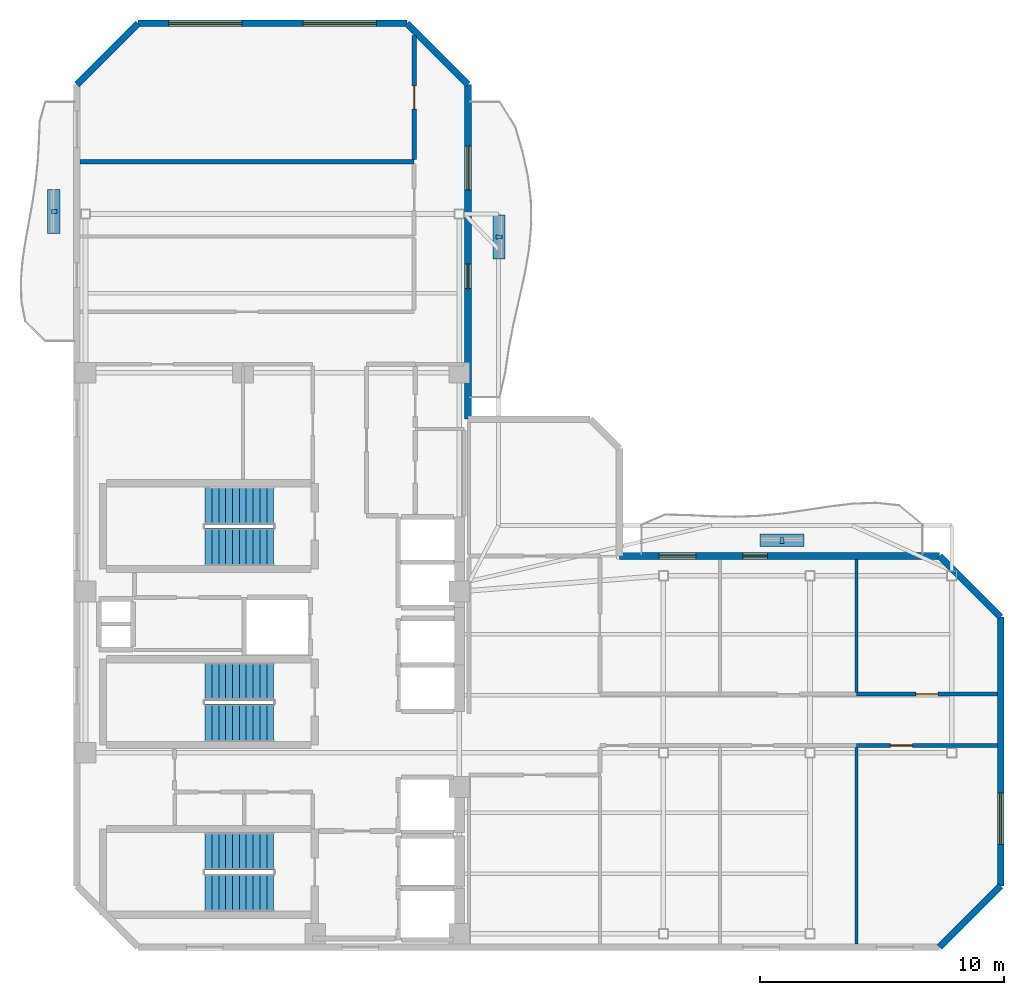
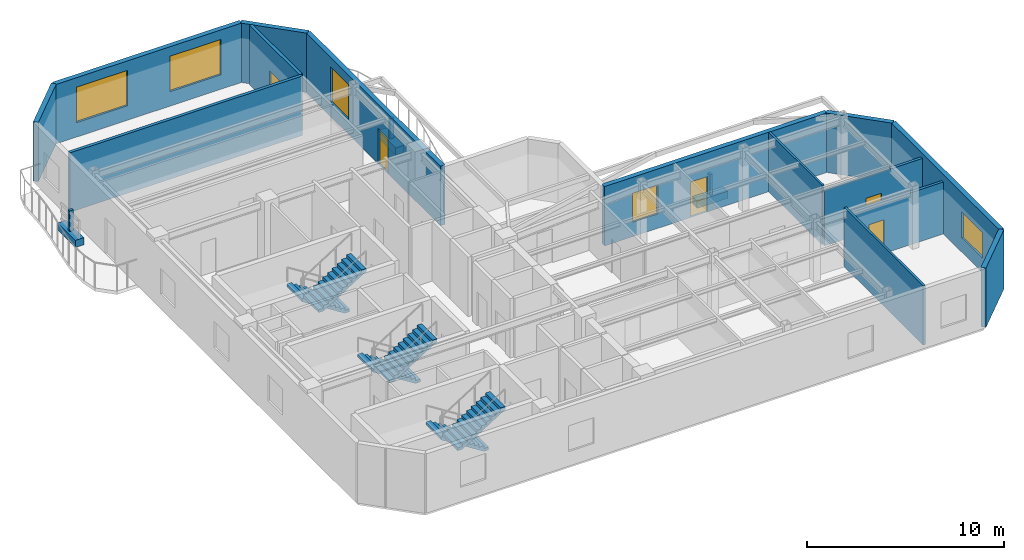
# One storey, part 5 of 7: 14 walls, 6 discrete accessories, 6 stair flights, 5 doors, 5 windows, 10 openings, 3 elements without a shape of their own.
"""IFC4 building model written with IfcOpenShell, lengths in metres."""

from ifc_helpers import new_model, si_unit, direction, frame, frame_2d, origin, origin_2d, place, context, subcontext, project, spatial, polyline, rectangle, outline, extrude, material, layer, layer_set, type_object, element, fill, aggregate, save


model = new_model("IFC4")

# Units and contexts
model_context = context("Model", 3, precision=1e-05, world=origin(), true_north=direction((0.0, 1.0)))
body_context = subcontext(model_context, "Body", "Model", "MODEL_VIEW")
ifc_project = project(units=[si_unit("LENGTHUNIT", "METRE"), si_unit("AREAUNIT", "SQUARE_METRE"), si_unit("VOLUMEUNIT", "CUBIC_METRE"), si_unit("PLANEANGLEUNIT", "RADIAN"), si_unit("MASSUNIT", "GRAM", prefix="KILO")], contexts=[model_context])

# Site, building, storey
site_placement = place(None, origin())
site = spatial("IfcSite", under=ifc_project, at=site_placement, CompositionType="ELEMENT")
building_placement = place(site_placement, origin())
building = spatial("IfcBuilding", under=site, at=building_placement, Name="Mawjaban Terraces University", CompositionType="ELEMENT")
storey_placement = place(building_placement, frame((0.0, 0.0, 298.89990234375)))
storey = spatial("IfcBuildingStorey", under=building, at=storey_placement, Name="L73", CompositionType="ELEMENT", Elevation=298.89990234375)

# Wall
ifc_material_1 = material(Name="Acoustic masonry blockwork", Category="masonry")
ifc_layer_1 = layer(ifc_material_1, 0.179931640625)
ifc_layer_set_1 = layer_set([ifc_layer_1], Name="Acoustic masonry blockwork")
wall_type_1 = type_object("IfcWallType", Name="AcousticStudioWall_180", PredefinedType="PARTITIONING", material=ifc_layer_set_1)
wall_1_placement = place(storey_placement, frame((35.800048828125, 32.139892578125, 0.0), z_axis=(0.0, 0.0, 1.0), x_axis=(-1.0, 0.0, 0.0)))
element("IfcWall", 1, at=wall_1_placement, inside=storey, type_object=wall_type_1, Name="L73 Quiet Reading Room 9 Partition 12", PredefinedType="PARTITIONING", context=body_context, shape_type="SweptSolid", body=[
    extrude(rectangle(XDim=13.6669921875, YDim=0.179931640625, at=frame_2d((6.83349609375, 0.0))), origin(), (0.0, 0.0, 1.0), 3.690185546875),
])

# Wall, opening, door
wall_2_placement = place(storey_placement, frame((35.800048828125, 37.31298828125, 0.0), z_axis=(0.0, 0.0, 1.0), x_axis=(0.0, -1.0, 0.0)))
wall_2 = element("IfcWall", 2, at=wall_2_placement, inside=storey, type_object=wall_type_1, Name="L73 Upper North Research Gallery Partition 34", PredefinedType="PARTITIONING", context=body_context, shape_type="SweptSolid", body=[
    extrude(rectangle(XDim=5.087890625, YDim=0.179931640625, at=frame_2d((2.5439453125, 0.0))), origin(), (0.0, 0.0, 1.0), 3.690185546875),
])
opening_1_placement = place(wall_2_placement, frame((2.069091796875, 0.0, 0.0)))
opening_1 = element("IfcOpeningElement", 3, at=opening_1_placement, cuts=wall_2, Name="Opening ID-095", PredefinedType="OPENING", context=body_context, shape_type="SweptSolid", body=[
    extrude(rectangle(XDim=0.949951171875, YDim=2.10009765625, at=frame_2d((0.47509765625, 1.050048828125))), frame((0.0, 0.099853515625, 0.0), z_axis=(0.0, -1.0, 0.0), x_axis=(1.0, 0.0, 0.0)), (0.0, 0.0, 1.0), 0.199951171875),
])
ifc_material_2 = material(Name="Powder-coated steel frame and solid acoustic timber leaf", Category="steel")
door_type_1 = type_object("IfcDoorType", Name="StudioDoor_950x2100", OperationType="NOTDEFINED", PredefinedType="DOOR", material=ifc_material_2)
door_1_placement = place(opening_1_placement, origin())
door_1 = element("IfcDoor", 4, at=door_1_placement, inside=storey, type_object=door_type_1, Name="L73 Media Workshop 10 Door", OperationType="SINGLE_SWING_RIGHT", OverallHeight=2.10009765625, OverallWidth=0.949951171875, PredefinedType="DOOR", context=body_context, shape_type="SweptSolid", body=[
    extrude(rectangle(XDim=0.949951171875, YDim=2.10009765625, at=frame_2d((0.47509765625, 1.050048828125))), frame((0.0, 0.02490234375, 0.0), z_axis=(0.0, -1.0, 0.0), x_axis=(1.0, 0.0, 0.0)), (0.0, 0.0, 1.0), 0.050048828125),
])
fill(opening_1, door_1)

ifc_material_3 = material(Name="Fire-rated gypsum board on steel stud", Category="steel")
ifc_layer_2 = layer(ifc_material_3, 0.159912109375)
ifc_layer_set_2 = layer_set([ifc_layer_2], Name="Fire-rated gypsum board on steel stud")
wall_type_2 = type_object("IfcWallType", Name="CorridorPartition_160", PredefinedType="PARTITIONING", material=ifc_layer_set_2)
wall_3_placement = place(storey_placement, frame((53.89990234375, 8.25, 0.0), z_axis=(0.0, 0.0, 1.0), x_axis=(1.0, 0.0, 0.0)))
wall_3 = element("IfcWall", 5, at=wall_3_placement, inside=storey, type_object=wall_type_2, Name="L73 Upper East Research Corridor Partition 21", PredefinedType="PARTITIONING", context=body_context, shape_type="SweptSolid", body=[
    extrude(rectangle(XDim=5.76708984375, YDim=0.159912109375, at=frame_2d((2.883544921875, 0.0))), origin(), (0.0, 0.0, 1.0), 3.22705078125),
])
opening_2_placement = place(wall_3_placement, frame((1.384033203125, 0.0, 0.0)))
opening_2 = element("IfcOpeningElement", 6, at=opening_2_placement, cuts=wall_3, Name="Opening ID-090", PredefinedType="OPENING", context=body_context, shape_type="SweptSolid", body=[
    extrude(rectangle(XDim=0.89990234375, YDim=2.10009765625, at=frame_2d((0.449951171875, 1.050048828125))), frame((0.0, 0.08984375, 0.0), z_axis=(0.0, -1.0, 0.0), x_axis=(1.0, 0.0, 0.0)), (0.0, 0.0, 1.0), 0.179931640625),
])
door_type_2 = type_object("IfcDoorType", Name="OfficeDoor_900x2100", OperationType="NOTDEFINED", PredefinedType="DOOR", material=ifc_material_2)
door_2_placement = place(opening_2_placement, origin())
door_2 = element("IfcDoor", 7, at=door_2_placement, inside=storey, type_object=door_type_2, Name="L73 Departmental Office 6 Door", OperationType="SINGLE_SWING_RIGHT", OverallHeight=2.10009765625, OverallWidth=0.89990234375, PredefinedType="DOOR", context=body_context, shape_type="SweptSolid", body=[
    extrude(rectangle(XDim=0.89990234375, YDim=2.10009765625, at=frame_2d((0.449951171875, 1.050048828125))), frame((0.0, 0.02490234375, 0.0), z_axis=(0.0, -1.0, 0.0), x_axis=(1.0, 0.0, 0.0)), (0.0, 0.0, 1.0), 0.050048828125),
])
fill(opening_2, door_2)

wall_4_placement = place(storey_placement, frame((59.6669921875, 10.35009765625, 0.0), z_axis=(0.0, 0.0, 1.0), x_axis=(-1.0, 0.0, 0.0)))
wall_4 = element("IfcWall", 8, at=wall_4_placement, inside=storey, type_object=wall_type_2, Name="L73 Upper East Research Corridor Partition 23", PredefinedType="PARTITIONING", context=body_context, shape_type="SweptSolid", body=[
    extrude(rectangle(XDim=5.76708984375, YDim=0.159912109375, at=frame_2d((2.883544921875, 0.0))), origin(), (0.0, 0.0, 1.0), 3.424072265625),
])
opening_3_placement = place(wall_4_placement, frame((2.43408203125, 0.0, 0.0)))
opening_3 = element("IfcOpeningElement", 9, at=opening_3_placement, cuts=wall_4, Name="Opening ID-090", PredefinedType="OPENING", context=body_context, shape_type="SweptSolid", body=[
    extrude(rectangle(XDim=0.89990234375, YDim=2.10009765625, at=frame_2d((0.449951171875, 1.050048828125))), frame((0.0, 0.08984375, 0.0), z_axis=(0.0, -1.0, 0.0), x_axis=(1.0, 0.0, 0.0)), (0.0, 0.0, 1.0), 0.179931640625),
])
door_3_placement = place(opening_3_placement, origin())
door_3 = element("IfcDoor", 10, at=door_3_placement, inside=storey, type_object=door_type_2, Name="L73 Faculty Office 7 Door", OperationType="SINGLE_SWING_LEFT", OverallHeight=2.10009765625, OverallWidth=0.89990234375, PredefinedType="DOOR", context=body_context, shape_type="SweptSolid", body=[
    extrude(rectangle(XDim=0.89990234375, YDim=2.10009765625, at=frame_2d((0.449951171875, 1.050048828125))), frame((0.0, 0.02490234375, 0.0), z_axis=(0.0, -1.0, 0.0), x_axis=(1.0, 0.0, 0.0)), (0.0, 0.0, 1.0), 0.050048828125),
])
fill(opening_3, door_3)

# Wall
ifc_material_4 = material(Name="Insulated terracotta rainscreen on concrete backup C40/50", Category="masonry")
ifc_layer_3 = layer(ifc_material_4, 0.27490234375)
ifc_layer_set_3 = layer_set([ifc_layer_3], Name="Insulated terracotta rainscreen on concrete backup C40/50")
wall_type_3 = type_object("IfcWallType", Name="ExtTerracottaWall_275", PredefinedType="SOLIDWALL", material=ifc_layer_set_3)
wall_5_placement = place(storey_placement, frame((57.300048828125, 0.0, 0.0), z_axis=(0.0, 0.0, 1.0), x_axis=(0.707106781187, 0.707106781187, 0.0)))
element("IfcWall", 11, at=wall_5_placement, inside=storey, type_object=wall_type_3, Name="L73 Exterior Terracotta Wall 2", PredefinedType="SOLIDWALL", context=body_context, shape_type="SweptSolid", body=[
    extrude(rectangle(XDim=3.53564453125, YDim=0.27490234375, at=frame_2d((1.767822265625, 0.0))), origin(), (0.0, 0.0, 1.0), 3.690185546875),
])

# Wall, opening, window
wall_6_placement = place(storey_placement, frame((59.800048828125, 2.5, 0.0), z_axis=(0.0, 0.0, 1.0), x_axis=(0.0, 1.0, 0.0)))
wall_6 = element("IfcWall", 12, at=wall_6_placement, inside=storey, type_object=wall_type_3, Name="L73 Exterior Terracotta Wall 3", PredefinedType="SOLIDWALL", context=body_context, shape_type="SweptSolid", body=[
    extrude(rectangle(XDim=11.0, YDim=0.27490234375, at=frame_2d((5.5, 0.0))), origin(), (0.0, 0.0, 1.0), 3.690185546875),
])
opening_4_placement = place(wall_6_placement, frame((1.699951171875, 0.0, 0.89990234375)))
opening_4 = element("IfcOpeningElement", 13, at=opening_4_placement, cuts=wall_6, Name="Opening W-04", PredefinedType="OPENING", context=body_context, shape_type="SweptSolid", body=[
    extrude(rectangle(XDim=2.10009765625, YDim=1.60009765625, at=frame_2d((1.050048828125, 0.800048828125))), frame((0.0, 0.1474609375, 0.0), z_axis=(0.0, -1.0, 0.0), x_axis=(1.0, 0.0, 0.0)), (0.0, 0.0, 1.0), 0.294921875),
])
ifc_material_5 = material(Name="Low-E solar-control double glazing in thermally broken aluminium frame", Category="aluminium")
window_type_1 = type_object("IfcWindowType", Name="Win_2100x1600", PartitioningType="SINGLE_PANEL", PredefinedType="WINDOW", material=ifc_material_5)
window_1_placement = place(opening_4_placement, origin())
window_1 = element("IfcWindow", 14, at=window_1_placement, inside=storey, type_object=window_type_1, Name="L73 Facade Window 3.1", OverallHeight=1.60009765625, OverallWidth=2.10009765625, PartitioningType="SINGLE_PANEL", PredefinedType="WINDOW", context=body_context, shape_type="SweptSolid", body=[
    extrude(rectangle(XDim=2.10009765625, YDim=1.60009765625, at=frame_2d((1.050048828125, 0.800048828125))), frame((0.0, 0.030029296875, 0.0), z_axis=(0.0, -1.0, 0.0), x_axis=(1.0, 0.0, 0.0)), (0.0, 0.0, 1.0), 0.06005859375),
])
fill(opening_4, window_1)

# Wall
wall_7_placement = place(storey_placement, frame((59.800048828125, 13.5, 0.0), z_axis=(0.0, 0.0, 1.0), x_axis=(-0.707106781187, 0.707106781187, 0.0)))
element("IfcWall", 15, at=wall_7_placement, inside=storey, type_object=wall_type_3, Name="L73 Exterior Terracotta Wall 4", PredefinedType="SOLIDWALL", context=body_context, shape_type="SweptSolid", body=[
    extrude(rectangle(XDim=3.53564453125, YDim=0.27490234375, at=frame_2d((1.767822265625, 0.0))), origin(), (0.0, 0.0, 1.0), 3.690185546875),
])

# Wall, openings, door, window
wall_8_placement = place(storey_placement, frame((57.300048828125, 16.0, 0.0), z_axis=(0.0, 0.0, 1.0), x_axis=(-1.0, 0.0, 0.0)))
wall_8 = element("IfcWall", 16, at=wall_8_placement, inside=storey, type_object=wall_type_3, Name="L73 Exterior Terracotta Wall 5", PredefinedType="SOLIDWALL", context=body_context, shape_type="SweptSolid", body=[
    extrude(rectangle(XDim=13.10009765625, YDim=0.27490234375, at=frame_2d((6.550048828125, 0.0))), origin(), (0.0, 0.0, 1.0), 3.690185546875),
])
opening_5_placement = place(wall_8_placement, frame((7.050048828125, 0.0, 0.0)))
opening_5 = element("IfcOpeningElement", 17, at=opening_5_placement, cuts=wall_8, Name="Opening BD-100", PredefinedType="OPENING", context=body_context, shape_type="SweptSolid", body=[
    extrude(rectangle(XDim=1.0, YDim=2.199951171875, at=frame_2d((0.5, 1.10009765625))), frame((0.0, 0.1474609375, 0.0), z_axis=(0.0, -1.0, 0.0), x_axis=(1.0, 0.0, 0.0)), (0.0, 0.0, 1.0), 0.294921875),
])
opening_6_placement = place(wall_8_placement, frame((9.97509765625, 0.0, 0.89990234375)))
opening_6 = element("IfcOpeningElement", 18, at=opening_6_placement, cuts=wall_8, Name="Opening W-06", PredefinedType="OPENING", context=body_context, shape_type="SweptSolid", body=[
    extrude(rectangle(XDim=1.5, YDim=1.800048828125, at=frame_2d((0.75, 0.89990234375))), frame((0.0, 0.1474609375, 0.0), z_axis=(0.0, -1.0, 0.0), x_axis=(1.0, 0.0, 0.0)), (0.0, 0.0, 1.0), 0.294921875),
])
ifc_material_6 = material(Name="Thermally broken anodised aluminium and laminated safety glass", Category="aluminium")
door_type_3 = type_object("IfcDoorType", Name="BalconyGlazedDoor_1000x2200", OperationType="NOTDEFINED", PredefinedType="DOOR", material=ifc_material_6)
door_4_placement = place(opening_5_placement, origin())
door_4 = element("IfcDoor", 19, at=door_4_placement, inside=storey, type_object=door_type_3, Name="L73 Balcony Access Door inner_north", OperationType="SINGLE_SWING_RIGHT", OverallHeight=2.199951171875, OverallWidth=1.0, PredefinedType="DOOR", context=body_context, shape_type="SweptSolid", body=[
    extrude(rectangle(XDim=1.0, YDim=2.199951171875, at=frame_2d((0.5, 1.10009765625))), frame((0.0, 0.02490234375, 0.0), z_axis=(0.0, -1.0, 0.0), x_axis=(1.0, 0.0, 0.0)), (0.0, 0.0, 1.0), 0.050048828125),
])
fill(opening_5, door_4)
window_type_2 = type_object("IfcWindowType", Name="Win_1500x1800", PartitioningType="SINGLE_PANEL", PredefinedType="WINDOW", material=ifc_material_5)
window_2_placement = place(opening_6_placement, origin())
window_2 = element("IfcWindow", 20, at=window_2_placement, inside=storey, type_object=window_type_2, Name="L73 Facade Window 5.2", OverallHeight=1.800048828125, OverallWidth=1.5, PartitioningType="SINGLE_PANEL", PredefinedType="WINDOW", context=body_context, shape_type="SweptSolid", body=[
    extrude(rectangle(XDim=1.5, YDim=1.800048828125, at=frame_2d((0.75, 0.89990234375))), frame((0.0, 0.030029296875, 0.0), z_axis=(0.0, -1.0, 0.0), x_axis=(1.0, 0.0, 0.0)), (0.0, 0.0, 1.0), 0.06005859375),
])
fill(opening_6, window_2)

wall_9_placement = place(storey_placement, frame((38.0, 21.60009765625, 0.0), z_axis=(0.0, 0.0, 1.0), x_axis=(0.0, 1.0, 0.0)))
wall_9 = element("IfcWall", 21, at=wall_9_placement, inside=storey, type_object=wall_type_3, Name="L73 Exterior Terracotta Wall 9", PredefinedType="SOLIDWALL", context=body_context, shape_type="SweptSolid", body=[
    extrude(rectangle(XDim=13.699951171875, YDim=0.27490234375, at=frame_2d((6.85009765625, 0.0))), origin(), (0.0, 0.0, 1.0), 3.690185546875),
])
opening_7_placement = place(wall_9_placement, frame((5.35009765625, 0.0, 0.0)))
opening_7 = element("IfcOpeningElement", 22, at=opening_7_placement, cuts=wall_9, Name="Opening BD-100", PredefinedType="OPENING", context=body_context, shape_type="SweptSolid", body=[
    extrude(rectangle(XDim=1.0, YDim=2.199951171875, at=frame_2d((0.5, 1.10009765625))), frame((0.0, 0.1474609375, 0.0), z_axis=(0.0, -1.0, 0.0), x_axis=(1.0, 0.0, 0.0)), (0.0, 0.0, 1.0), 0.294921875),
])
opening_8_placement = place(wall_9_placement, frame((9.375, 0.0, 0.89990234375)))
opening_8 = element("IfcOpeningElement", 23, at=opening_8_placement, cuts=wall_9, Name="Opening W-10", PredefinedType="OPENING", context=body_context, shape_type="SweptSolid", body=[
    extrude(rectangle(XDim=1.800048828125, YDim=2.199951171875, at=frame_2d((0.89990234375, 1.10009765625))), frame((0.0, 0.1474609375, 0.0), z_axis=(0.0, -1.0, 0.0), x_axis=(1.0, 0.0, 0.0)), (0.0, 0.0, 1.0), 0.294921875),
])
door_5_placement = place(opening_7_placement, origin())
door_5 = element("IfcDoor", 24, at=door_5_placement, inside=storey, type_object=door_type_3, Name="L73 Balcony Access Door inner_east", OperationType="SINGLE_SWING_RIGHT", OverallHeight=2.199951171875, OverallWidth=1.0, PredefinedType="DOOR", context=body_context, shape_type="SweptSolid", body=[
    extrude(rectangle(XDim=1.0, YDim=2.199951171875, at=frame_2d((0.5, 1.10009765625))), frame((0.0, 0.02490234375, 0.0), z_axis=(0.0, -1.0, 0.0), x_axis=(1.0, 0.0, 0.0)), (0.0, 0.0, 1.0), 0.050048828125),
])
fill(opening_7, door_5)
window_type_3 = type_object("IfcWindowType", Name="Win_1800x2200", PartitioningType="SINGLE_PANEL", PredefinedType="WINDOW", material=ifc_material_5)
window_3_placement = place(opening_8_placement, origin())
window_3 = element("IfcWindow", 25, at=window_3_placement, inside=storey, type_object=window_type_3, Name="L73 Facade Window 9.2", OverallHeight=2.199951171875, OverallWidth=1.800048828125, PartitioningType="SINGLE_PANEL", PredefinedType="WINDOW", context=body_context, shape_type="SweptSolid", body=[
    extrude(rectangle(XDim=1.800048828125, YDim=2.199951171875, at=frame_2d((0.89990234375, 1.10009765625))), frame((0.0, 0.030029296875, 0.0), z_axis=(0.0, -1.0, 0.0), x_axis=(1.0, 0.0, 0.0)), (0.0, 0.0, 1.0), 0.06005859375),
])
fill(opening_8, window_3)

# Wall
wall_10_placement = place(storey_placement, frame((38.0, 35.300048828125, 0.0), z_axis=(0.0, 0.0, 1.0), x_axis=(-0.707106781187, 0.707106781187, 0.0)))
element("IfcWall", 26, at=wall_10_placement, inside=storey, type_object=wall_type_3, Name="L73 Exterior Terracotta Wall 10", PredefinedType="SOLIDWALL", context=body_context, shape_type="SweptSolid", body=[
    extrude(rectangle(XDim=3.53564453125, YDim=0.27490234375, at=frame_2d((1.767822265625, 0.0))), origin(), (0.0, 0.0, 1.0), 3.690185546875),
])

# Wall, openings, windows
wall_11_placement = place(storey_placement, frame((35.5, 37.800048828125, 0.0), z_axis=(0.0, 0.0, 1.0), x_axis=(-1.0, 0.0, 0.0)))
wall_11 = element("IfcWall", 27, at=wall_11_placement, inside=storey, type_object=wall_type_3, Name="L73 Exterior Terracotta Wall 11", PredefinedType="SOLIDWALL", context=body_context, shape_type="SweptSolid", body=[
    extrude(rectangle(XDim=11.0, YDim=0.27490234375, at=frame_2d((5.5, 0.0))), origin(), (0.0, 0.0, 1.0), 3.690185546875),
])
opening_9_placement = place(wall_11_placement, frame((1.25, 0.0, 0.89990234375)))
opening_9 = element("IfcOpeningElement", 28, at=opening_9_placement, cuts=wall_11, Name="Opening W-12", PredefinedType="OPENING", context=body_context, shape_type="SweptSolid", body=[
    extrude(rectangle(XDim=3.0, YDim=2.199951171875, at=frame_2d((1.5, 1.10009765625))), frame((0.0, 0.1474609375, 0.0), z_axis=(0.0, -1.0, 0.0), x_axis=(1.0, 0.0, 0.0)), (0.0, 0.0, 1.0), 0.294921875),
])
opening_10_placement = place(wall_11_placement, frame((6.75, 0.0, 0.89990234375)))
opening_10 = element("IfcOpeningElement", 29, at=opening_10_placement, cuts=wall_11, Name="Opening W-12", PredefinedType="OPENING", context=body_context, shape_type="SweptSolid", body=[
    extrude(rectangle(XDim=3.0, YDim=2.199951171875, at=frame_2d((1.5, 1.10009765625))), frame((0.0, 0.1474609375, 0.0), z_axis=(0.0, -1.0, 0.0), x_axis=(1.0, 0.0, 0.0)), (0.0, 0.0, 1.0), 0.294921875),
])
window_type_4 = type_object("IfcWindowType", Name="Win_3000x2200", PartitioningType="SINGLE_PANEL", PredefinedType="WINDOW", material=ifc_material_5)
window_4_placement = place(opening_9_placement, origin())
window_4 = element("IfcWindow", 30, at=window_4_placement, inside=storey, type_object=window_type_4, Name="L73 Facade Window 11.1", OverallHeight=2.199951171875, OverallWidth=3.0, PartitioningType="SINGLE_PANEL", PredefinedType="WINDOW", context=body_context, shape_type="SweptSolid", body=[
    extrude(rectangle(XDim=3.0, YDim=2.199951171875, at=frame_2d((1.5, 1.10009765625))), frame((0.0, 0.030029296875, 0.0), z_axis=(0.0, -1.0, 0.0), x_axis=(1.0, 0.0, 0.0)), (0.0, 0.0, 1.0), 0.06005859375),
])
fill(opening_9, window_4)
window_5_placement = place(opening_10_placement, origin())
window_5 = element("IfcWindow", 31, at=window_5_placement, inside=storey, type_object=window_type_4, Name="L73 Facade Window 11.2", OverallHeight=2.199951171875, OverallWidth=3.0, PartitioningType="SINGLE_PANEL", PredefinedType="WINDOW", context=body_context, shape_type="SweptSolid", body=[
    extrude(rectangle(XDim=3.0, YDim=2.199951171875, at=frame_2d((1.5, 1.10009765625))), frame((0.0, 0.030029296875, 0.0), z_axis=(0.0, -1.0, 0.0), x_axis=(1.0, 0.0, 0.0)), (0.0, 0.0, 1.0), 0.06005859375),
])
fill(opening_10, window_5)

# Walls
wall_12_placement = place(storey_placement, frame((24.5, 37.800048828125, 0.0), z_axis=(0.0, 0.0, 1.0), x_axis=(-0.707106781187, -0.707106781187, 0.0)))
element("IfcWall", 32, at=wall_12_placement, inside=storey, type_object=wall_type_3, Name="L73 Exterior Terracotta Wall 12", PredefinedType="SOLIDWALL", context=body_context, shape_type="SweptSolid", body=[
    extrude(rectangle(XDim=3.53564453125, YDim=0.27490234375, at=frame_2d((1.767822265625, 0.0))), origin(), (0.0, 0.0, 1.0), 3.690185546875),
])
ifc_material_7 = material(Name="Gypsum plasterboard on steel stud", Category="steel")
ifc_layer_4 = layer(ifc_material_7, 0.125)
ifc_layer_set_4 = layer_set([ifc_layer_4], Name="Gypsum plasterboard on steel stud")
wall_type_4 = type_object("IfcWallType", Name="OfficePartition_125", PredefinedType="PARTITIONING", material=ifc_layer_set_4)
wall_13_placement = place(storey_placement, frame((53.89990234375, 0.133056640625, 0.0), z_axis=(0.0, 0.0, 1.0), x_axis=(0.0, 1.0, 0.0)))
element("IfcWall", 33, at=wall_13_placement, inside=storey, type_object=wall_type_4, Name="L73 Academic Counseling Room 4 Partition 46", PredefinedType="PARTITIONING", context=body_context, shape_type="SweptSolid", body=[
    extrude(rectangle(XDim=8.0419921875, YDim=0.125, at=frame_2d((4.02099609375, 0.0))), origin(), (0.0, 0.0, 1.0), 3.690185546875),
])
wall_14_placement = place(storey_placement, frame((53.89990234375, 10.425048828125, 0.0), z_axis=(0.0, 0.0, 1.0), x_axis=(0.0, 1.0, 0.0)))
element("IfcWall", 34, at=wall_14_placement, inside=storey, type_object=wall_type_4, Name="L73 Faculty Office 5 Partition 47", PredefinedType="PARTITIONING", context=body_context, shape_type="SweptSolid", body=[
    extrude(rectangle(XDim=5.44189453125, YDim=0.125, at=frame_2d((2.720947265625, 0.0))), origin(), (0.0, 0.0, 1.0), 3.690185546875),
])

# Stair, stair flights
ifc_material_8 = material(Name="Concrete C40/50", Category="concrete")
stair_type = type_object("IfcStairType", Name="Stair_Core1550_H39", PredefinedType="HALF_TURN_STAIR", material=ifc_material_8)
stair_1_placement = place(storey_placement, origin())
stair_1 = element("IfcStair", 35, at=stair_1_placement, inside=storey, type_object=stair_type, Name="L73 Core Exit Stair 1", PredefinedType="HALF_TURN_STAIR")
stair_flight_type = type_object("IfcStairFlightType", Name="Flight_Core1550_H39", PredefinedType="STRAIGHT", material=ifc_material_8)
stair_flight_1_placement = place(storey_placement, frame((30.050048828125, 3.925048828125, 0.0), z_axis=(0.0, 0.0, 1.0), x_axis=(-1.0, 0.0, 0.0)))
stair_flight_1 = element("IfcStairFlight", 36, at=stair_flight_1_placement, type_object=stair_flight_type, Name="ST-1 flight 1", NumberOfRisers=11, NumberOfTreads=10, PredefinedType="STRAIGHT", RiserHeight=0.177272727, TreadLength=0.28, context=body_context, shape_type="SweptSolid", body=[
    extrude(outline(polyline([(0.0, 0.0), (0.0, 0.17724609375), (0.280029296875, 0.17724609375), (0.280029296875, 0.3544921875), (0.56005859375, 0.3544921875), (0.56005859375, 0.53173828125), (0.840087890625, 0.53173828125), (0.840087890625, 0.708984375), (1.1201171875, 0.708984375), (1.1201171875, 0.886474609375), (1.39990234375, 0.886474609375), (1.39990234375, 1.063720703125), (1.679931640625, 1.063720703125), (1.679931640625, 1.240966796875), (1.9599609375, 1.240966796875), (1.9599609375, 1.418212890625), (2.239990234375, 1.418212890625), (2.239990234375, 1.595458984375), (2.52001953125, 1.595458984375), (2.52001953125, 1.772705078125), (2.800048828125, 1.772705078125), (2.800048828125, 1.949951171875), (2.800048828125, 1.59521484375), (0.2802734375, 0.0), (0.0, 0.0)])), frame((0.0, 0.77490234375, 0.0), z_axis=(0.0, -1.0, 0.0), x_axis=(1.0, 0.0, 0.0)), (0.0, 0.0, 1.0), 1.550048828125),
])
stair_flight_2_placement = place(storey_placement, frame((27.25, 2.22509765625, 1.9501953125), z_axis=(0.0, 0.0, 1.0), x_axis=(1.0, 0.0, 0.0)))
stair_flight_2 = element("IfcStairFlight", 37, at=stair_flight_2_placement, type_object=stair_flight_type, Name="ST-1 flight 2", NumberOfRisers=11, NumberOfTreads=10, PredefinedType="STRAIGHT", RiserHeight=0.177272727, TreadLength=0.28, context=body_context, shape_type="SweptSolid", body=[
    extrude(outline(polyline([(0.0, 0.0), (0.0, 0.17724609375), (0.280029296875, 0.17724609375), (0.280029296875, 0.3544921875), (0.56005859375, 0.3544921875), (0.56005859375, 0.53173828125), (0.840087890625, 0.53173828125), (0.840087890625, 0.708984375), (1.1201171875, 0.708984375), (1.1201171875, 0.886474609375), (1.39990234375, 0.886474609375), (1.39990234375, 1.063720703125), (1.679931640625, 1.063720703125), (1.679931640625, 1.240966796875), (1.9599609375, 1.240966796875), (1.9599609375, 1.418212890625), (2.239990234375, 1.418212890625), (2.239990234375, 1.595458984375), (2.52001953125, 1.595458984375), (2.52001953125, 1.772705078125), (2.800048828125, 1.772705078125), (2.800048828125, 1.949951171875), (2.800048828125, 1.59521484375), (0.2802734375, 0.0), (0.0, 0.0)])), frame((0.0, 0.77490234375, 0.0), z_axis=(0.0, -1.0, 0.0), x_axis=(1.0, 0.0, 0.0)), (0.0, 0.0, 1.0), 1.550048828125),
])
aggregate(stair_1, [stair_flight_1, stair_flight_2])

stair_2_placement = place(storey_placement, origin())
stair_2 = element("IfcStair", 38, at=stair_2_placement, inside=storey, type_object=stair_type, Name="L73 Core Exit Stair 2", PredefinedType="HALF_TURN_STAIR")
stair_flight_3_placement = place(storey_placement, frame((30.050048828125, 18.074951171875, 0.0), z_axis=(0.0, 0.0, 1.0), x_axis=(-1.0, 0.0, 0.0)))
stair_flight_3 = element("IfcStairFlight", 39, at=stair_flight_3_placement, type_object=stair_flight_type, Name="ST-2 flight 1", NumberOfRisers=11, NumberOfTreads=10, PredefinedType="STRAIGHT", RiserHeight=0.177272727, TreadLength=0.28, context=body_context, shape_type="SweptSolid", body=[
    extrude(outline(polyline([(0.0, 0.0), (0.0, 0.17724609375), (0.280029296875, 0.17724609375), (0.280029296875, 0.3544921875), (0.56005859375, 0.3544921875), (0.56005859375, 0.53173828125), (0.840087890625, 0.53173828125), (0.840087890625, 0.708984375), (1.1201171875, 0.708984375), (1.1201171875, 0.886474609375), (1.39990234375, 0.886474609375), (1.39990234375, 1.063720703125), (1.679931640625, 1.063720703125), (1.679931640625, 1.240966796875), (1.9599609375, 1.240966796875), (1.9599609375, 1.418212890625), (2.239990234375, 1.418212890625), (2.239990234375, 1.595458984375), (2.52001953125, 1.595458984375), (2.52001953125, 1.772705078125), (2.800048828125, 1.772705078125), (2.800048828125, 1.949951171875), (2.800048828125, 1.59521484375), (0.2802734375, 0.0), (0.0, 0.0)])), frame((0.0, 0.77490234375, 0.0), z_axis=(0.0, -1.0, 0.0), x_axis=(1.0, 0.0, 0.0)), (0.0, 0.0, 1.0), 1.550048828125),
])
stair_flight_4_placement = place(storey_placement, frame((27.25, 16.375, 1.9501953125), z_axis=(0.0, 0.0, 1.0), x_axis=(1.0, 0.0, 0.0)))
stair_flight_4 = element("IfcStairFlight", 40, at=stair_flight_4_placement, type_object=stair_flight_type, Name="ST-2 flight 2", NumberOfRisers=11, NumberOfTreads=10, PredefinedType="STRAIGHT", RiserHeight=0.177272727, TreadLength=0.28, context=body_context, shape_type="SweptSolid", body=[
    extrude(outline(polyline([(0.0, 0.0), (0.0, 0.17724609375), (0.280029296875, 0.17724609375), (0.280029296875, 0.3544921875), (0.56005859375, 0.3544921875), (0.56005859375, 0.53173828125), (0.840087890625, 0.53173828125), (0.840087890625, 0.708984375), (1.1201171875, 0.708984375), (1.1201171875, 0.886474609375), (1.39990234375, 0.886474609375), (1.39990234375, 1.063720703125), (1.679931640625, 1.063720703125), (1.679931640625, 1.240966796875), (1.9599609375, 1.240966796875), (1.9599609375, 1.418212890625), (2.239990234375, 1.418212890625), (2.239990234375, 1.595458984375), (2.52001953125, 1.595458984375), (2.52001953125, 1.772705078125), (2.800048828125, 1.772705078125), (2.800048828125, 1.949951171875), (2.800048828125, 1.59521484375), (0.2802734375, 0.0), (0.0, 0.0)])), frame((0.0, 0.77490234375, 0.0), z_axis=(0.0, -1.0, 0.0), x_axis=(1.0, 0.0, 0.0)), (0.0, 0.0, 1.0), 1.550048828125),
])
aggregate(stair_2, [stair_flight_3, stair_flight_4])

stair_3_placement = place(storey_placement, origin())
stair_3 = element("IfcStair", 41, at=stair_3_placement, inside=storey, type_object=stair_type, Name="L73 Core Exit Stair 3", PredefinedType="HALF_TURN_STAIR")
stair_flight_5_placement = place(storey_placement, frame((30.050048828125, 10.875, 0.0), z_axis=(0.0, 0.0, 1.0), x_axis=(-1.0, 0.0, 0.0)))
stair_flight_5 = element("IfcStairFlight", 42, at=stair_flight_5_placement, type_object=stair_flight_type, Name="ST-3 flight 1", NumberOfRisers=11, NumberOfTreads=10, PredefinedType="STRAIGHT", RiserHeight=0.177272727, TreadLength=0.28, context=body_context, shape_type="SweptSolid", body=[
    extrude(outline(polyline([(0.0, 0.0), (0.0, 0.17724609375), (0.280029296875, 0.17724609375), (0.280029296875, 0.3544921875), (0.56005859375, 0.3544921875), (0.56005859375, 0.53173828125), (0.840087890625, 0.53173828125), (0.840087890625, 0.708984375), (1.1201171875, 0.708984375), (1.1201171875, 0.886474609375), (1.39990234375, 0.886474609375), (1.39990234375, 1.063720703125), (1.679931640625, 1.063720703125), (1.679931640625, 1.240966796875), (1.9599609375, 1.240966796875), (1.9599609375, 1.418212890625), (2.239990234375, 1.418212890625), (2.239990234375, 1.595458984375), (2.52001953125, 1.595458984375), (2.52001953125, 1.772705078125), (2.800048828125, 1.772705078125), (2.800048828125, 1.949951171875), (2.800048828125, 1.59521484375), (0.2802734375, 0.0), (0.0, 0.0)])), frame((0.0, 0.77490234375, 0.0), z_axis=(0.0, -1.0, 0.0), x_axis=(1.0, 0.0, 0.0)), (0.0, 0.0, 1.0), 1.550048828125),
])
stair_flight_6_placement = place(storey_placement, frame((27.25, 9.175048828125, 1.9501953125), z_axis=(0.0, 0.0, 1.0), x_axis=(1.0, 0.0, 0.0)))
stair_flight_6 = element("IfcStairFlight", 43, at=stair_flight_6_placement, type_object=stair_flight_type, Name="ST-3 flight 2", NumberOfRisers=11, NumberOfTreads=10, PredefinedType="STRAIGHT", RiserHeight=0.177272727, TreadLength=0.28, context=body_context, shape_type="SweptSolid", body=[
    extrude(outline(polyline([(0.0, 0.0), (0.0, 0.17724609375), (0.280029296875, 0.17724609375), (0.280029296875, 0.3544921875), (0.56005859375, 0.3544921875), (0.56005859375, 0.53173828125), (0.840087890625, 0.53173828125), (0.840087890625, 0.708984375), (1.1201171875, 0.708984375), (1.1201171875, 0.886474609375), (1.39990234375, 0.886474609375), (1.39990234375, 1.063720703125), (1.679931640625, 1.063720703125), (1.679931640625, 1.240966796875), (1.9599609375, 1.240966796875), (1.9599609375, 1.418212890625), (2.239990234375, 1.418212890625), (2.239990234375, 1.595458984375), (2.52001953125, 1.595458984375), (2.52001953125, 1.772705078125), (2.800048828125, 1.772705078125), (2.800048828125, 1.949951171875), (2.800048828125, 1.59521484375), (0.2802734375, 0.0), (0.0, 0.0)])), frame((0.0, 0.77490234375, 0.0), z_axis=(0.0, -1.0, 0.0), x_axis=(1.0, 0.0, 0.0)), (0.0, 0.0, 1.0), 1.550048828125),
])
aggregate(stair_3, [stair_flight_5, stair_flight_6])

# Discrete accessories
ifc_material_9 = material(Name="Stainless steel 316L", Category="steel")
discrete_accessory_type_1 = type_object("IfcDiscreteAccessoryType", Name="FacadeScreenBracket_Steel", PredefinedType="BRACKET", material=ifc_material_9)
for number, where, z_axis, x_axis, name in (
    (44, (21.056884765625, 30.10791015625, 0.419921875), (0.0, 0.0, 1.0), (0.0, 1.0, 0.0), "L73 Balcony Screen Support Bracket west"),
    (45, (50.85009765625, 16.64501953125, 0.419921875), (0.0, 0.0, 1.0), (1.0, 0.0, 0.0), "L73 Balcony Screen Support Bracket inner_north"),
    (46, (39.27197265625, 29.053955078125, 0.419921875), (0.0, 0.0, 1.0), (0.0, 1.0, 0.0), "L73 Balcony Screen Support Bracket inner_east"),
):
    element("IfcDiscreteAccessory", number, at=place(storey_placement, frame(where, z_axis=z_axis, x_axis=x_axis)), inside=storey, type_object=discrete_accessory_type_1, Name=name, PredefinedType="BRACKET", context=body_context, shape_type="SweptSolid", body=[
        extrude(rectangle(XDim=0.159912109375, YDim=0.239990234375, at=origin_2d()), origin(), (0.0, 0.0, 1.0), 1.300048828125),
    ])
ifc_material_10 = material(Name="Precast architectural terracotta planter with engineered planting soil", Category="masonry")
discrete_accessory_type_2 = type_object("IfcDiscreteAccessoryType", Name="IrrigatedPlanterTrough_450", PredefinedType="USERDEFINED", material=ifc_material_10)
for number, where, z_axis, x_axis, name in (
    (47, (21.056884765625, 30.10791015625, -0.0048828125), (0.0, 0.0, 1.0), (0.0, 1.0, 0.0), "L73 Balcony Irrigated Planter west"),
    (48, (50.85009765625, 16.64501953125, -0.0048828125), (0.0, 0.0, 1.0), (1.0, 0.0, 0.0), "L73 Balcony Irrigated Planter inner_north"),
    (49, (39.27197265625, 29.053955078125, -0.0048828125), (0.0, 0.0, 1.0), (0.0, 1.0, 0.0), "L73 Balcony Irrigated Planter inner_east"),
):
    element("IfcDiscreteAccessory", number, at=place(storey_placement, frame(where, z_axis=z_axis, x_axis=x_axis)), inside=storey, type_object=discrete_accessory_type_2, Name=name, ObjectType="PLANTER", PredefinedType="USERDEFINED", context=body_context, shape_type="SweptSolid", body=[
        extrude(rectangle(XDim=1.800048828125, YDim=0.5, at=origin_2d()), origin(), (0.0, 0.0, 1.0), 0.449951171875),
    ])

save(model, "model.ifc")
